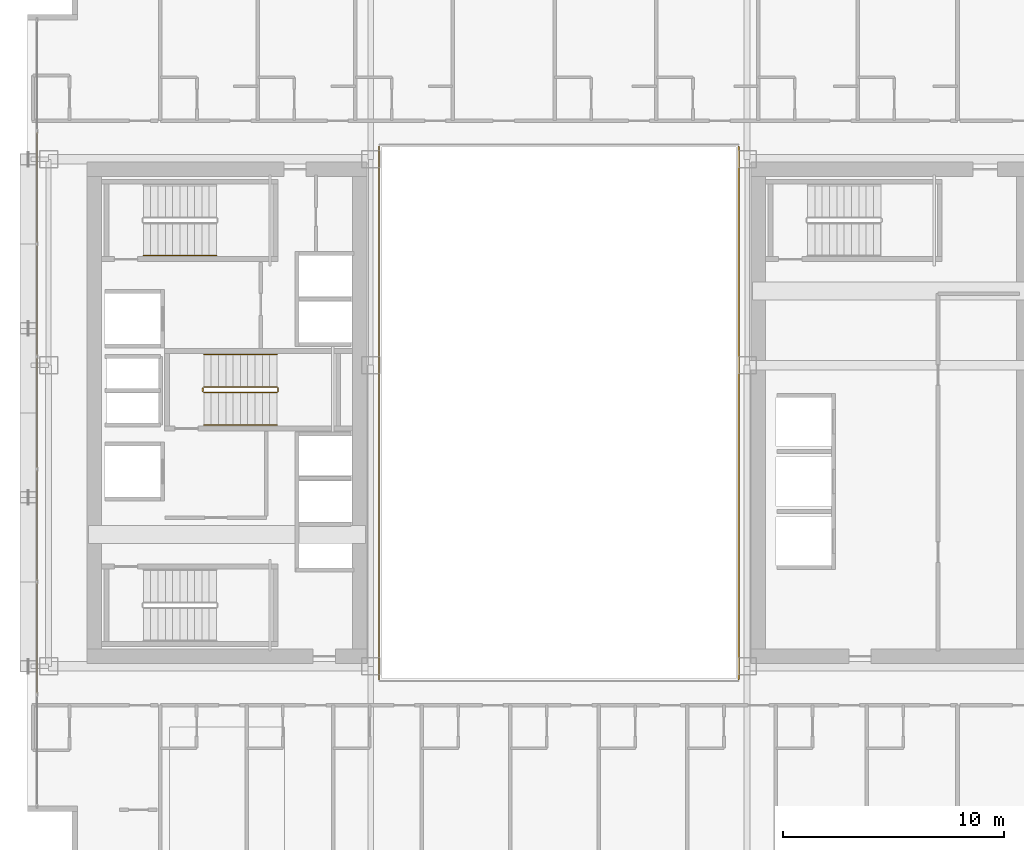
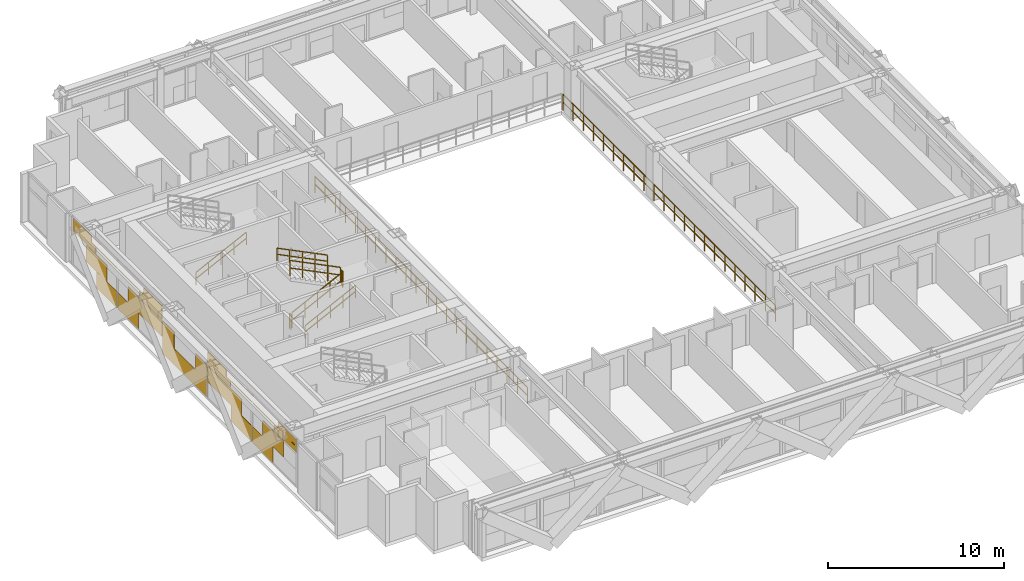
# One storey, part 34 of 36: 9 railings, 1 covering.
"""IFC4 building model written with IfcOpenShell, lengths in metres."""

import ifcopenshell
import ifcopenshell.guid

model = None  # the IFC model being written
_history = None  # IfcOwnerHistory: only IFC2X3 demands one
_inside = {}  # id of a spatial element -> (the spatial element, [elements in it])
_under = {}  # id of a project, library or spatial element -> (it, [spatial elements below it])
_declared = {}  # id of a project -> (the project, [libraries it declares])
_typed = {}  # id of a type object -> (the type object, [elements of that type])
_made_of = {}  # id of a material, layer set ... -> (it, [elements and type objects made of it])


def new_model(schema):
    """Start an empty IFC model of exactly this schema.

    Asked for "IFC4X3", IfcOpenShell would pick the latest addendum, in which some entities
    have other attributes; the version numbers below select the first issue.
    IFC2X3 requires an IfcOwnerHistory on every rooted entity: one is made here for all.
    """
    global model, _history
    if schema == "IFC4X3":
        model = ifcopenshell.file(schema_version=(4, 3, 0, 0))
    else:
        model = ifcopenshell.file(schema=schema)
    _inside.clear()
    _under.clear()
    _declared.clear()
    _typed.clear()
    _made_of.clear()
    _history = None
    if model.schema == "IFC2X3":
        org = make("IfcOrganization", Name="unknown")
        user = make(
            "IfcPersonAndOrganization",
            ThePerson=make("IfcPerson", FamilyName="unknown"),
            TheOrganization=org,
        )
        app = make(
            "IfcApplication",
            ApplicationDeveloper=org,
            Version="unknown",
            ApplicationFullName="unknown",
            ApplicationIdentifier="unknown",
        )
        _history = make(
            "IfcOwnerHistory",
            OwningUser=user,
            OwningApplication=app,
            ChangeAction="ADDED",
            CreationDate=0,
        )
    return model


def make(cls, **values):
    """One entity of the class cls with the attributes given. An attribute that is None is left unset."""
    return model.create_entity(
        cls, **{name: value for name, value in values.items() if value is not None}
    )


def rooted(cls, **values):
    """An entity with a GlobalId (a new one), such as an element, a storey or a relation."""
    return make(cls, GlobalId=ifcopenshell.guid.new(), OwnerHistory=_history, **values)


def si_unit(unit_type, name, prefix=None):
    """IfcSIUnit, for example si_unit("LENGTHUNIT", "METRE", prefix="MILLI")."""
    return make("IfcSIUnit", UnitType=unit_type, Prefix=prefix, Name=name)


def assignment(units):
    """IfcUnitAssignment: the units of a project."""
    return None if units is None else make("IfcUnitAssignment", Units=units)


def point(xyz):
    """IfcCartesianPoint."""
    return None if xyz is None else make("IfcCartesianPoint", Coordinates=xyz)


def direction(xyz):
    """IfcDirection."""
    return None if xyz is None else make("IfcDirection", DirectionRatios=xyz)


def frame(location, z_axis=None, x_axis=None):
    """IfcAxis2Placement3D, a coordinate frame: its origin and axes. An axis left out is left unset."""
    return make(
        "IfcAxis2Placement3D",
        Location=point(location),
        Axis=direction(z_axis),
        RefDirection=direction(x_axis),
    )


def frame_2d(location, x_axis=None):
    """IfcAxis2Placement2D, a coordinate frame in the plane: its origin and x axis."""
    return make(
        "IfcAxis2Placement2D", Location=point(location), RefDirection=direction(x_axis)
    )


def origin():
    """The frame at (0, 0, 0) with its axes left unset."""
    return frame((0.0, 0.0, 0.0))


def origin_2d():
    """The frame at (0, 0) in the plane with its x axis left unset."""
    return frame_2d((0.0, 0.0))


def place(relative_to, where):
    """IfcLocalPlacement: puts the frame where relative to a parent placement (None: the world)."""
    return make(
        "IfcLocalPlacement", PlacementRelTo=relative_to, RelativePlacement=where
    )


def context(
    kind, dimensions, precision=None, world=None, true_north=None, identifier=None
):
    """IfcGeometricRepresentationContext, for example the 3D "Model" context."""
    return make(
        "IfcGeometricRepresentationContext",
        ContextIdentifier=identifier,
        ContextType=kind,
        CoordinateSpaceDimension=dimensions,
        Precision=precision,
        WorldCoordinateSystem=world,
        TrueNorth=true_north,
    )


def subcontext(parent, identifier, kind, view, scale=None):
    """IfcGeometricRepresentationSubContext, for example "Body" below "Model"."""
    return make(
        "IfcGeometricRepresentationSubContext",
        ContextIdentifier=identifier,
        ContextType=kind,
        ParentContext=parent,
        TargetScale=scale,
        TargetView=view,
    )


def project(units=None, contexts=None):
    """IfcProject with its units and contexts."""
    return rooted(
        "IfcProject",
        Name="project",
        RepresentationContexts=contexts,
        UnitsInContext=assignment(units),
    )


def spatial(cls, under=None, at=None, **own):
    """A site, building, storey or space (cls), placed at a placement, below another one or the project."""
    s = rooted(cls, ObjectPlacement=at, **own)
    if under is not None:
        _under.setdefault(under.id(), (under, []))[1].append(s)
    return s


def profile(cls, at=None, kind="AREA", **sizes):
    """A parametric profile (cls). Its sizes go by their IFC names, for example OverallWidth=200.0."""
    return make(cls, ProfileType=kind, Position=at, **sizes)


def rectangle(**sizes):
    """IfcRectangleProfileDef."""
    return profile("IfcRectangleProfileDef", **sizes)


def extrude(swept, where, along, depth):
    """IfcExtrudedAreaSolid: the profile swept, set in the frame where, extruded along a direction by depth."""
    return make(
        "IfcExtrudedAreaSolid",
        SweptArea=swept,
        Position=where,
        ExtrudedDirection=direction(along),
        Depth=depth,
    )


def shape(context_of_items, identifier, shape_type, items):
    """IfcShapeRepresentation: the items that make up one representation, for example the "Body"."""
    return make(
        "IfcShapeRepresentation",
        ContextOfItems=context_of_items,
        RepresentationIdentifier=identifier,
        RepresentationType=shape_type,
        Items=items,
    )


def material(Name=None, Category=None):
    """IfcMaterial."""
    return make("IfcMaterial", Name=Name, Category=Category)


def layer(
    of_material, thickness, ventilated=None, Name=None, Category=None, Priority=None
):
    """IfcMaterialLayer: one layer of a wall or slab, of a material (None: an air gap)."""
    return make(
        "IfcMaterialLayer",
        Material=of_material,
        LayerThickness=thickness,
        IsVentilated=ventilated,
        Name=Name,
        Category=Category,
        Priority=Priority,
    )


def layer_set(layers, Name=None):
    """IfcMaterialLayerSet."""
    return make("IfcMaterialLayerSet", MaterialLayers=layers, LayerSetName=Name)


def made_of(thing, what):
    """Note that an element or type object is made of a material, layer set ...; save() writes the relation."""
    if what is not None:
        _made_of.setdefault(what.id(), (what, []))[1].append(thing)
    return thing


def type_object(cls, material=None, **own):
    """A type object (cls), such as IfcWallType, which elements share."""
    return made_of(rooted(cls, **own), material)


def element(
    cls,
    number,
    at=None,
    inside=None,
    cuts=None,
    type_object=None,
    material=None,
    context=None,
    identifier="Body",
    shape_type=None,
    held_by="IfcProductDefinitionShape",
    body=None,
    shapes=None,
    **own,
):
    """One element of the class cls, such as IfcWall. Its Tag is "e" and its number.

    at: its placement. inside: the storey or other place that contains it. cuts: it is an
    opening in that element (IfcRelVoidsElement). A single representation is given by context,
    identifier, shape_type and body (its items); several are given by shapes. held_by: the class
    of the entity that holds the representations. save() writes the other relations.
    """
    e = rooted(cls, Tag="e%d" % number, ObjectPlacement=at, **own)
    if body is not None:
        shapes = [shape(context, identifier, shape_type, body)]
    if shapes is not None:
        e.Representation = make(held_by, Representations=shapes)
    if inside is not None:
        _inside.setdefault(inside.id(), (inside, []))[1].append(e)
    if cuts is not None:
        rooted(
            "IfcRelVoidsElement", RelatingBuildingElement=cuts, RelatedOpeningElement=e
        )
    if type_object is not None:
        _typed.setdefault(type_object.id(), (type_object, []))[1].append(e)
    return made_of(e, material)


def aggregate(whole, parts):
    """IfcRelAggregates: a whole, such as a stair, and the parts it consists of."""
    return rooted("IfcRelAggregates", RelatingObject=whole, RelatedObjects=parts)


def save(model, path):
    """Write the relations noted so far, then the file.

    IfcRelAggregates (storeys below a building ...), IfcRelContainedInSpatialStructure (elements
    in a storey), IfcRelDefinesByType, IfcRelAssociatesMaterial and IfcRelDeclares: one each for
    every whole, place, type object, material and project.
    """
    for whole, parts in _under.values():
        aggregate(whole, parts)
    for where, things in _inside.values():
        rooted(
            "IfcRelContainedInSpatialStructure",
            RelatedElements=things,
            RelatingStructure=where,
        )
    for kind, things in _typed.values():
        rooted("IfcRelDefinesByType", RelatedObjects=things, RelatingType=kind)
    for what, things in _made_of.values():
        rooted("IfcRelAssociatesMaterial", RelatedObjects=things, RelatingMaterial=what)
    for by, libraries in _declared.values():
        rooted("IfcRelDeclares", RelatingContext=by, RelatedDefinitions=libraries)
    model.write(path)


model = new_model("IFC4")

# Units and contexts
model_context = context("Model", 3, precision=1e-05, world=origin(), true_north=direction((0.0, 1.0)))
body_context = subcontext(model_context, "Body", "Model", "MODEL_VIEW")
ifc_project = project(units=[si_unit("LENGTHUNIT", "METRE"), si_unit("AREAUNIT", "SQUARE_METRE"), si_unit("VOLUMEUNIT", "CUBIC_METRE"), si_unit("PLANEANGLEUNIT", "RADIAN"), si_unit("MASSUNIT", "GRAM", prefix="KILO")], contexts=[model_context])

# Site, building, storey
site_placement = place(None, origin())
site = spatial("IfcSite", under=ifc_project, at=site_placement, CompositionType="ELEMENT")
building_placement = place(site_placement, origin())
building = spatial("IfcBuilding", under=site, at=building_placement, Name="Ocotamira Hotel", CompositionType="ELEMENT")
storey_placement = place(building_placement, frame((0.0, 0.0, 129.60009765625)))
storey = spatial("IfcBuildingStorey", under=building, at=storey_placement, Name="L32", CompositionType="ELEMENT", Elevation=129.60009765625)

# Covering
ifc_material_1 = material(Name="Insulated pale-metal aluminium spandrel panel", Category="aluminium")
ifc_layer = layer(ifc_material_1, 0.044921875)
ifc_layer_set = layer_set([ifc_layer], Name="Insulated pale-metal aluminium spandrel panel")
covering_type = type_object("IfcCoveringType", Name="COV-INFILL-45", PredefinedType="CLADDING", material=ifc_layer_set)
covering_placement = place(storey_placement, origin())
element("IfcCovering", 1, at=covering_placement, inside=storey, type_object=covering_type, Name="L32 Curtain Wall Infill CW-3 CW-L32-W", PredefinedType="CLADDING", context=body_context, shape_type="SweptSolid", body=[
    extrude(rectangle(XDim=2.35107421875, YDim=0.044921875, at=origin_2d()), frame((8.419921875, 15.988525390625, 1.19384765625), z_axis=(0.0, 0.0, 1.0), x_axis=(0.0, 1.0, 0.0)), (0.0, 0.0, 1.0), 1.117919921875),
    extrude(rectangle(XDim=2.331787109375, YDim=0.044921875, at=origin_2d()), frame((8.419921875, 17.1650390625, 0.075439453125), z_axis=(0.0, 0.0, 1.0), x_axis=(0.0, 1.0, 0.0)), (0.0, 0.0, 1.0), 1.11767578125),
    extrude(rectangle(XDim=2.572265625, YDim=0.044921875, at=origin_2d()), frame((8.419921875, 14.6123046875, 2.3876953125), z_axis=(0.0, 0.0, 1.0), x_axis=(0.0, 1.0, 0.0)), (0.0, 0.0, 1.0), 0.413330078125),
    extrude(rectangle(XDim=5.004638671875, YDim=0.044921875, at=origin_2d()), frame((8.419921875, 15.82861328125, 2.80224609375), z_axis=(0.0, 0.0, 1.0), x_axis=(0.0, 1.0, 0.0)), (0.0, 0.0, 1.0), 0.033203125),
    extrude(rectangle(XDim=2.096435546875, YDim=0.044921875, at=origin_2d()), frame((8.419921875, 14.37451171875, 2.836669921875), z_axis=(0.0, 0.0, 1.0), x_axis=(0.0, 1.0, 0.0)), (0.0, 0.0, 1.0), 0.44775390625),
    extrude(rectangle(XDim=2.322265625, YDim=0.044921875, at=origin_2d()), frame((8.419921875, 19.572998046875, 0.075439453125), z_axis=(0.0, 0.0, 1.0), x_axis=(0.0, 1.0, 0.0)), (0.0, 0.0, 1.0), 1.11767578125),
    extrude(rectangle(XDim=3.847412109375, YDim=0.044921875, at=origin_2d()), frame((8.419921875, 21.492919921875, 1.19384765625), z_axis=(0.0, 0.0, 1.0), x_axis=(0.0, 1.0, 0.0)), (0.0, 0.0, 1.0), 1.117919921875),
    extrude(rectangle(XDim=5.004638671875, YDim=0.044921875, at=origin_2d()), frame((8.419921875, 20.914306640625, 2.80224609375), z_axis=(0.0, 0.0, 1.0), x_axis=(0.0, 1.0, 0.0)), (0.0, 0.0, 1.0), 0.033203125),
    extrude(rectangle(XDim=2.581787109375, YDim=0.044921875, at=origin_2d()), frame((8.419921875, 22.125732421875, 2.3876953125), z_axis=(0.0, 0.0, 1.0), x_axis=(0.0, 1.0, 0.0)), (0.0, 0.0, 1.0), 0.413330078125),
    extrude(rectangle(XDim=2.106201171875, YDim=0.044921875, at=origin_2d()), frame((8.419921875, 22.363525390625, 2.836669921875), z_axis=(0.0, 0.0, 1.0), x_axis=(0.0, 1.0, 0.0)), (0.0, 0.0, 1.0), 0.44775390625),
    extrude(rectangle(XDim=5.004638671875, YDim=0.044921875, at=origin_2d()), frame((8.419921875, 26.0, 0.075439453125), z_axis=(0.0, 0.0, 1.0), x_axis=(0.0, 1.0, 0.0)), (0.0, 0.0, 1.0), 1.11767578125),
    extrude(rectangle(XDim=1.2998046875, YDim=0.044921875, at=origin_2d()), frame((8.419921875, 24.1474609375, 1.19384765625), z_axis=(0.0, 0.0, 1.0), x_axis=(0.0, 1.0, 0.0)), (0.0, 0.0, 1.0), 1.117919921875),
    extrude(rectangle(XDim=1.2998046875, YDim=0.044921875, at=origin_2d()), frame((8.419921875, 27.8525390625, 1.19384765625), z_axis=(0.0, 0.0, 1.0), x_axis=(0.0, 1.0, 0.0)), (0.0, 0.0, 1.0), 1.117919921875),
    extrude(rectangle(XDim=3.847412109375, YDim=0.044921875, at=origin_2d()), frame((8.419921875, 30.507080078125, 1.19384765625), z_axis=(0.0, 0.0, 1.0), x_axis=(0.0, 1.0, 0.0)), (0.0, 0.0, 1.0), 1.117919921875),
    extrude(rectangle(XDim=2.322265625, YDim=0.044921875, at=origin_2d()), frame((8.419921875, 32.427001953125, 0.075439453125), z_axis=(0.0, 0.0, 1.0), x_axis=(0.0, 1.0, 0.0)), (0.0, 0.0, 1.0), 1.11767578125),
    extrude(rectangle(XDim=2.581787109375, YDim=0.044921875, at=origin_2d()), frame((8.419921875, 29.874267578125, 2.3876953125), z_axis=(0.0, 0.0, 1.0), x_axis=(0.0, 1.0, 0.0)), (0.0, 0.0, 1.0), 0.413330078125),
    extrude(rectangle(XDim=5.004638671875, YDim=0.044921875, at=origin_2d()), frame((8.419921875, 31.085693359375, 2.80224609375), z_axis=(0.0, 0.0, 1.0), x_axis=(0.0, 1.0, 0.0)), (0.0, 0.0, 1.0), 0.033203125),
    extrude(rectangle(XDim=2.106201171875, YDim=0.044921875, at=origin_2d()), frame((8.419921875, 29.636474609375, 2.836669921875), z_axis=(0.0, 0.0, 1.0), x_axis=(0.0, 1.0, 0.0)), (0.0, 0.0, 1.0), 0.44775390625),
    extrude(rectangle(XDim=2.331787109375, YDim=0.044921875, at=origin_2d()), frame((8.419921875, 34.8349609375, 0.075439453125), z_axis=(0.0, 0.0, 1.0), x_axis=(0.0, 1.0, 0.0)), (0.0, 0.0, 1.0), 1.11767578125),
    extrude(rectangle(XDim=2.35107421875, YDim=0.044921875, at=origin_2d()), frame((8.419921875, 36.011474609375, 1.19384765625), z_axis=(0.0, 0.0, 1.0), x_axis=(0.0, 1.0, 0.0)), (0.0, 0.0, 1.0), 1.117919921875),
    extrude(rectangle(XDim=5.004638671875, YDim=0.044921875, at=origin_2d()), frame((8.419921875, 36.17138671875, 2.80224609375), z_axis=(0.0, 0.0, 1.0), x_axis=(0.0, 1.0, 0.0)), (0.0, 0.0, 1.0), 0.033203125),
    extrude(rectangle(XDim=2.572265625, YDim=0.044921875, at=origin_2d()), frame((8.419921875, 37.3876953125, 2.3876953125), z_axis=(0.0, 0.0, 1.0), x_axis=(0.0, 1.0, 0.0)), (0.0, 0.0, 1.0), 0.413330078125),
    extrude(rectangle(XDim=2.096435546875, YDim=0.044921875, at=origin_2d()), frame((8.419921875, 37.62548828125, 2.836669921875), z_axis=(0.0, 0.0, 1.0), x_axis=(0.0, 1.0, 0.0)), (0.0, 0.0, 1.0), 0.44775390625),
])

# Railings
ifc_material_2 = material(Name="Painted steel stair guardrail", Category="steel")
railing_type_1 = type_object("IfcRailingType", Name="RL-EDGE-1150", PredefinedType="GUARDRAIL", material=ifc_material_2)
railing_1_placement = place(storey_placement, frame((40.1201171875, 13.9599609375, 0.0)))
element("IfcRailing", 2, at=railing_1_placement, inside=storey, type_object=railing_type_1, Name="L32 Central Atrium Edge Guardrail E", PredefinedType="GUARDRAIL", context=body_context, shape_type="SweptSolid", body=[
    extrude(rectangle(XDim=0.048095703125, YDim=0.048095703125, at=origin_2d()), frame((0.0, 0.0, 1.1259765625), z_axis=(0.0, 1.0, 0.0), x_axis=(-1.0, 0.0, 0.0)), (0.0, 0.0, 1.0), 24.080078125),
    extrude(rectangle(XDim=0.048095703125, YDim=0.048095703125, at=origin_2d()), frame((0.0, 0.0, 0.574951171875), z_axis=(0.0, 1.0, 0.0), x_axis=(-1.0, 0.0, 0.0)), (0.0, 0.0, 1.0), 24.080078125),
    extrude(rectangle(XDim=0.0419921875, YDim=0.0419921875, at=origin_2d()), origin(), (0.0, 0.0, 1.0), 1.101806640625),
    extrude(rectangle(XDim=0.0419921875, YDim=0.0419921875, at=origin_2d()), frame((0.0, 1.146728515625, 0.0)), (0.0, 0.0, 1.0), 1.101806640625),
    extrude(rectangle(XDim=0.0419921875, YDim=0.0419921875, at=origin_2d()), frame((0.0, 2.29345703125, 0.0)), (0.0, 0.0, 1.0), 1.101806640625),
    extrude(rectangle(XDim=0.0419921875, YDim=0.0419921875, at=origin_2d()), frame((0.0, 3.43994140625, 0.0)), (0.0, 0.0, 1.0), 1.101806640625),
    extrude(rectangle(XDim=0.0419921875, YDim=0.0419921875, at=origin_2d()), frame((0.0, 4.586669921875, 0.0)), (0.0, 0.0, 1.0), 1.101806640625),
    extrude(rectangle(XDim=0.0419921875, YDim=0.0419921875, at=origin_2d()), frame((0.0, 5.7333984375, 0.0)), (0.0, 0.0, 1.0), 1.101806640625),
    extrude(rectangle(XDim=0.0419921875, YDim=0.0419921875, at=origin_2d()), frame((0.0, 6.880126953125, 0.0)), (0.0, 0.0, 1.0), 1.101806640625),
    extrude(rectangle(XDim=0.0419921875, YDim=0.0419921875, at=origin_2d()), frame((0.0, 8.026611328125, 0.0)), (0.0, 0.0, 1.0), 1.101806640625),
    extrude(rectangle(XDim=0.0419921875, YDim=0.0419921875, at=origin_2d()), frame((0.0, 9.17333984375, 0.0)), (0.0, 0.0, 1.0), 1.101806640625),
    extrude(rectangle(XDim=0.0419921875, YDim=0.0419921875, at=origin_2d()), frame((0.0, 10.320068359375, 0.0)), (0.0, 0.0, 1.0), 1.101806640625),
    extrude(rectangle(XDim=0.0419921875, YDim=0.0419921875, at=origin_2d()), frame((0.0, 11.466796875, 0.0)), (0.0, 0.0, 1.0), 1.101806640625),
    extrude(rectangle(XDim=0.0419921875, YDim=0.0419921875, at=origin_2d()), frame((0.0, 12.61328125, 0.0)), (0.0, 0.0, 1.0), 1.101806640625),
    extrude(rectangle(XDim=0.0419921875, YDim=0.0419921875, at=origin_2d()), frame((0.0, 13.760009765625, 0.0)), (0.0, 0.0, 1.0), 1.101806640625),
    extrude(rectangle(XDim=0.0419921875, YDim=0.0419921875, at=origin_2d()), frame((0.0, 14.90673828125, 0.0)), (0.0, 0.0, 1.0), 1.101806640625),
    extrude(rectangle(XDim=0.0419921875, YDim=0.0419921875, at=origin_2d()), frame((0.0, 16.053466796875, 0.0)), (0.0, 0.0, 1.0), 1.101806640625),
    extrude(rectangle(XDim=0.0419921875, YDim=0.0419921875, at=origin_2d()), frame((0.0, 17.199951171875, 0.0)), (0.0, 0.0, 1.0), 1.101806640625),
    extrude(rectangle(XDim=0.0419921875, YDim=0.0419921875, at=origin_2d()), frame((0.0, 18.3466796875, 0.0)), (0.0, 0.0, 1.0), 1.101806640625),
    extrude(rectangle(XDim=0.0419921875, YDim=0.0419921875, at=origin_2d()), frame((0.0, 19.493408203125, 0.0)), (0.0, 0.0, 1.0), 1.101806640625),
    extrude(rectangle(XDim=0.0419921875, YDim=0.0419921875, at=origin_2d()), frame((0.0, 20.64013671875, 0.0)), (0.0, 0.0, 1.0), 1.101806640625),
    extrude(rectangle(XDim=0.0419921875, YDim=0.0419921875, at=origin_2d()), frame((0.0, 21.78662109375, 0.0)), (0.0, 0.0, 1.0), 1.101806640625),
    extrude(rectangle(XDim=0.0419921875, YDim=0.0419921875, at=origin_2d()), frame((0.0, 22.933349609375, 0.0)), (0.0, 0.0, 1.0), 1.101806640625),
    extrude(rectangle(XDim=0.0419921875, YDim=0.0419921875, at=origin_2d()), frame((0.0, 24.080078125, 0.0)), (0.0, 0.0, 1.0), 1.101806640625),
])
railing_2_placement = place(storey_placement, frame((23.8798828125, 38.0400390625, 0.0)))
element("IfcRailing", 3, at=railing_2_placement, inside=storey, type_object=railing_type_1, Name="L32 Central Atrium Edge Guardrail W", PredefinedType="GUARDRAIL", context=body_context, shape_type="SweptSolid", body=[
    extrude(rectangle(XDim=0.048095703125, YDim=0.048095703125, at=origin_2d()), frame((0.0, 0.0, 1.1259765625), z_axis=(0.0, -1.0, 0.0), x_axis=(1.0, 0.0, 0.0)), (0.0, 0.0, 1.0), 24.080078125),
    extrude(rectangle(XDim=0.048095703125, YDim=0.048095703125, at=origin_2d()), frame((0.0, 0.0, 0.574951171875), z_axis=(0.0, -1.0, 0.0), x_axis=(1.0, 0.0, 0.0)), (0.0, 0.0, 1.0), 24.080078125),
    extrude(rectangle(XDim=0.0419921875, YDim=0.0419921875, at=origin_2d()), origin(), (0.0, 0.0, 1.0), 1.101806640625),
    extrude(rectangle(XDim=0.0419921875, YDim=0.0419921875, at=origin_2d()), frame((0.0, -1.146728515625, 0.0)), (0.0, 0.0, 1.0), 1.101806640625),
    extrude(rectangle(XDim=0.0419921875, YDim=0.0419921875, at=origin_2d()), frame((0.0, -2.29345703125, 0.0)), (0.0, 0.0, 1.0), 1.101806640625),
    extrude(rectangle(XDim=0.0419921875, YDim=0.0419921875, at=origin_2d()), frame((0.0, -3.43994140625, 0.0)), (0.0, 0.0, 1.0), 1.101806640625),
    extrude(rectangle(XDim=0.0419921875, YDim=0.0419921875, at=origin_2d()), frame((0.0, -4.586669921875, 0.0)), (0.0, 0.0, 1.0), 1.101806640625),
    extrude(rectangle(XDim=0.0419921875, YDim=0.0419921875, at=origin_2d()), frame((0.0, -5.7333984375, 0.0)), (0.0, 0.0, 1.0), 1.101806640625),
    extrude(rectangle(XDim=0.0419921875, YDim=0.0419921875, at=origin_2d()), frame((0.0, -6.880126953125, 0.0)), (0.0, 0.0, 1.0), 1.101806640625),
    extrude(rectangle(XDim=0.0419921875, YDim=0.0419921875, at=origin_2d()), frame((0.0, -8.026611328125, 0.0)), (0.0, 0.0, 1.0), 1.101806640625),
    extrude(rectangle(XDim=0.0419921875, YDim=0.0419921875, at=origin_2d()), frame((0.0, -9.17333984375, 0.0)), (0.0, 0.0, 1.0), 1.101806640625),
    extrude(rectangle(XDim=0.0419921875, YDim=0.0419921875, at=origin_2d()), frame((0.0, -10.320068359375, 0.0)), (0.0, 0.0, 1.0), 1.101806640625),
    extrude(rectangle(XDim=0.0419921875, YDim=0.0419921875, at=origin_2d()), frame((0.0, -11.466796875, 0.0)), (0.0, 0.0, 1.0), 1.101806640625),
    extrude(rectangle(XDim=0.0419921875, YDim=0.0419921875, at=origin_2d()), frame((0.0, -12.61328125, 0.0)), (0.0, 0.0, 1.0), 1.101806640625),
    extrude(rectangle(XDim=0.0419921875, YDim=0.0419921875, at=origin_2d()), frame((0.0, -13.760009765625, 0.0)), (0.0, 0.0, 1.0), 1.101806640625),
    extrude(rectangle(XDim=0.0419921875, YDim=0.0419921875, at=origin_2d()), frame((0.0, -14.90673828125, 0.0)), (0.0, 0.0, 1.0), 1.101806640625),
    extrude(rectangle(XDim=0.0419921875, YDim=0.0419921875, at=origin_2d()), frame((0.0, -16.053466796875, 0.0)), (0.0, 0.0, 1.0), 1.101806640625),
    extrude(rectangle(XDim=0.0419921875, YDim=0.0419921875, at=origin_2d()), frame((0.0, -17.199951171875, 0.0)), (0.0, 0.0, 1.0), 1.101806640625),
    extrude(rectangle(XDim=0.0419921875, YDim=0.0419921875, at=origin_2d()), frame((0.0, -18.3466796875, 0.0)), (0.0, 0.0, 1.0), 1.101806640625),
    extrude(rectangle(XDim=0.0419921875, YDim=0.0419921875, at=origin_2d()), frame((0.0, -19.493408203125, 0.0)), (0.0, 0.0, 1.0), 1.101806640625),
    extrude(rectangle(XDim=0.0419921875, YDim=0.0419921875, at=origin_2d()), frame((0.0, -20.64013671875, 0.0)), (0.0, 0.0, 1.0), 1.101806640625),
    extrude(rectangle(XDim=0.0419921875, YDim=0.0419921875, at=origin_2d()), frame((0.0, -21.78662109375, 0.0)), (0.0, 0.0, 1.0), 1.101806640625),
    extrude(rectangle(XDim=0.0419921875, YDim=0.0419921875, at=origin_2d()), frame((0.0, -22.933349609375, 0.0)), (0.0, 0.0, 1.0), 1.101806640625),
    extrude(rectangle(XDim=0.0419921875, YDim=0.0419921875, at=origin_2d()), frame((0.0, -24.080078125, 0.0)), (0.0, 0.0, 1.0), 1.101806640625),
])
ifc_material_3 = material(Name="Brushed stainless steel handrail", Category="steel")
railing_type_2 = type_object("IfcRailingType", Name="RL-HAND-900", PredefinedType="HANDRAIL", material=ifc_material_3)
for number, where, name in (
    (4, (13.22998046875, 33.10009765625, 0.3271484375), "L32 ST-2 stair handrail 1"),
    (5, (15.9599609375, 25.449951171875, 0.3271484375), "L32 ST-3 stair handrail 1"),
):
    element("IfcRailing", number, at=place(storey_placement, frame(where)), inside=storey, type_object=railing_type_2, Name=name, PredefinedType="HANDRAIL", context=body_context, shape_type="SweptSolid", body=[
        extrude(rectangle(XDim=0.048095703125, YDim=0.048095703125, at=origin_2d()), frame((0.0, 0.0, 0.8759765625), z_axis=(0.895893744519, 0.0, 0.4442683857), x_axis=(0.0, 1.0, 0.0)), (0.0, 0.0, 1.0), 3.68359375),
        extrude(rectangle(XDim=0.048095703125, YDim=0.048095703125, at=origin_2d()), frame((0.0, 0.0, 0.449951171875), z_axis=(0.895893744519, 0.0, 0.4442683857), x_axis=(0.0, 1.0, 0.0)), (0.0, 0.0, 1.0), 3.68359375),
        extrude(rectangle(XDim=0.0419921875, YDim=0.0419921875, at=origin_2d()), origin(), (0.0, 0.0, 1.0), 0.851806640625),
        extrude(rectangle(XDim=0.0419921875, YDim=0.0419921875, at=origin_2d()), frame((0.824951171875, 0.0, 0.4091796875)), (0.0, 0.0, 1.0), 0.851806640625),
        extrude(rectangle(XDim=0.0419921875, YDim=0.0419921875, at=origin_2d()), frame((1.64990234375, 0.0, 0.818359375)), (0.0, 0.0, 1.0), 0.851806640625),
        extrude(rectangle(XDim=0.0419921875, YDim=0.0419921875, at=origin_2d()), frame((2.47509765625, 0.0, 1.227294921875)), (0.0, 0.0, 1.0), 0.851806640625),
        extrude(rectangle(XDim=0.0419921875, YDim=0.0419921875, at=origin_2d()), frame((3.300048828125, 0.0, 1.636474609375)), (0.0, 0.0, 1.0), 0.851806640625),
    ])
railing_3_placement = place(storey_placement, frame((19.260009765625, 28.6298828125, 2.127197265625)))
element("IfcRailing", 6, at=railing_3_placement, inside=storey, type_object=railing_type_2, Name="L32 ST-3 stair handrail 2", PredefinedType="HANDRAIL", context=body_context, shape_type="SweptSolid", body=[
    extrude(rectangle(XDim=0.048095703125, YDim=0.048095703125, at=origin_2d()), frame((0.0, 0.0, 0.8759765625), z_axis=(-0.895920123917, 0.0, 0.444215186098), x_axis=(0.0, -1.0, 0.0)), (0.0, 0.0, 1.0), 3.683349609375),
    extrude(rectangle(XDim=0.048095703125, YDim=0.048095703125, at=origin_2d()), frame((0.0, 0.0, 0.449951171875), z_axis=(-0.895920123917, 0.0, 0.444215186098), x_axis=(0.0, -1.0, 0.0)), (0.0, 0.0, 1.0), 3.683349609375),
    extrude(rectangle(XDim=0.0419921875, YDim=0.0419921875, at=origin_2d()), origin(), (0.0, 0.0, 1.0), 0.851806640625),
    extrude(rectangle(XDim=0.0419921875, YDim=0.0419921875, at=origin_2d()), frame((-0.824951171875, 0.0, 0.4091796875)), (0.0, 0.0, 1.0), 0.851806640625),
    extrude(rectangle(XDim=0.0419921875, YDim=0.0419921875, at=origin_2d()), frame((-1.64990234375, 0.0, 0.818115234375)), (0.0, 0.0, 1.0), 0.851806640625),
    extrude(rectangle(XDim=0.0419921875, YDim=0.0419921875, at=origin_2d()), frame((-2.47509765625, 0.0, 1.22705078125)), (0.0, 0.0, 1.0), 0.851806640625),
    extrude(rectangle(XDim=0.0419921875, YDim=0.0419921875, at=origin_2d()), frame((-3.300048828125, 0.0, 1.63623046875)), (0.0, 0.0, 1.0), 0.851806640625),
])
railing_type_3 = type_object("IfcRailingType", Name="RL-STAIR-1100", PredefinedType="GUARDRAIL", material=ifc_material_2)
railing_4_placement = place(storey_placement, frame((15.9599609375, 26.909912109375, 0.16357421875)))
element("IfcRailing", 7, at=railing_4_placement, inside=storey, type_object=railing_type_3, Name="L32 ST-3 stair guard 1", PredefinedType="GUARDRAIL", context=body_context, shape_type="SweptSolid", body=[
    extrude(rectangle(XDim=0.048095703125, YDim=0.048095703125, at=origin_2d()), frame((0.0, 0.0, 1.076171875), z_axis=(0.895920123917, 0.0, 0.444215186098), x_axis=(0.0, 1.0, 0.0)), (0.0, 0.0, 1.0), 3.683349609375),
    extrude(rectangle(XDim=0.048095703125, YDim=0.048095703125, at=origin_2d()), frame((0.0, 0.0, 0.550048828125), z_axis=(0.895920123917, 0.0, 0.444215186098), x_axis=(0.0, 1.0, 0.0)), (0.0, 0.0, 1.0), 3.683349609375),
    extrude(rectangle(XDim=0.0419921875, YDim=0.0419921875, at=origin_2d()), origin(), (0.0, 0.0, 1.0), 1.052001953125),
    extrude(rectangle(XDim=0.0419921875, YDim=0.0419921875, at=origin_2d()), frame((0.824951171875, 0.0, 0.4091796875)), (0.0, 0.0, 1.0), 1.052001953125),
    extrude(rectangle(XDim=0.0419921875, YDim=0.0419921875, at=origin_2d()), frame((1.64990234375, 0.0, 0.818115234375)), (0.0, 0.0, 1.0), 1.052001953125),
    extrude(rectangle(XDim=0.0419921875, YDim=0.0419921875, at=origin_2d()), frame((2.47509765625, 0.0, 1.22705078125)), (0.0, 0.0, 1.0), 1.052001953125),
    extrude(rectangle(XDim=0.0419921875, YDim=0.0419921875, at=origin_2d()), frame((3.300048828125, 0.0, 1.63623046875)), (0.0, 0.0, 1.0), 1.052001953125),
])
railing_5_placement = place(storey_placement, frame((19.31005859375, 26.9599609375, 1.7998046875)))
element("IfcRailing", 8, at=railing_5_placement, inside=storey, type_object=railing_type_3, Name="L32 ST-3 stair guard 2", PredefinedType="GUARDRAIL", context=body_context, shape_type="SweptSolid", body=[
    extrude(rectangle(XDim=0.048095703125, YDim=0.048095703125, at=origin_2d()), frame((0.0, 0.0, 1.076171875), z_axis=(0.0, 1.0, 0.0), x_axis=(-1.0, 0.0, 0.0)), (0.0, 0.0, 1.0), 0.16015625),
    extrude(rectangle(XDim=0.048095703125, YDim=0.048095703125, at=origin_2d()), frame((0.0, 0.0, 0.550048828125), z_axis=(0.0, 1.0, 0.0), x_axis=(-1.0, 0.0, 0.0)), (0.0, 0.0, 1.0), 0.16015625),
    extrude(rectangle(XDim=0.0419921875, YDim=0.0419921875, at=origin_2d()), origin(), (0.0, 0.0, 1.0), 1.052001953125),
    extrude(rectangle(XDim=0.0419921875, YDim=0.0419921875, at=origin_2d()), frame((0.0, 0.16015625, 0.0)), (0.0, 0.0, 1.0), 1.052001953125),
])
railing_6_placement = place(storey_placement, frame((19.260009765625, 27.169921875, 1.963623046875)))
element("IfcRailing", 9, at=railing_6_placement, inside=storey, type_object=railing_type_3, Name="L32 ST-3 stair guard 3", PredefinedType="GUARDRAIL", context=body_context, shape_type="SweptSolid", body=[
    extrude(rectangle(XDim=0.048095703125, YDim=0.048095703125, at=origin_2d()), frame((0.0, 0.0, 1.076171875), z_axis=(-0.895920123917, 0.0, 0.444215186098), x_axis=(0.0, -1.0, 0.0)), (0.0, 0.0, 1.0), 3.683349609375),
    extrude(rectangle(XDim=0.048095703125, YDim=0.048095703125, at=origin_2d()), frame((0.0, 0.0, 0.550048828125), z_axis=(-0.895920123917, 0.0, 0.444215186098), x_axis=(0.0, -1.0, 0.0)), (0.0, 0.0, 1.0), 3.683349609375),
    extrude(rectangle(XDim=0.0419921875, YDim=0.0419921875, at=origin_2d()), origin(), (0.0, 0.0, 1.0), 1.052001953125),
    extrude(rectangle(XDim=0.0419921875, YDim=0.0419921875, at=origin_2d()), frame((-0.824951171875, 0.0, 0.4091796875)), (0.0, 0.0, 1.0), 1.052001953125),
    extrude(rectangle(XDim=0.0419921875, YDim=0.0419921875, at=origin_2d()), frame((-1.64990234375, 0.0, 0.818115234375)), (0.0, 0.0, 1.0), 1.052001953125),
    extrude(rectangle(XDim=0.0419921875, YDim=0.0419921875, at=origin_2d()), frame((-2.47509765625, 0.0, 1.22705078125)), (0.0, 0.0, 1.0), 1.052001953125),
    extrude(rectangle(XDim=0.0419921875, YDim=0.0419921875, at=origin_2d()), frame((-3.300048828125, 0.0, 1.63623046875)), (0.0, 0.0, 1.0), 1.052001953125),
])
railing_7_placement = place(storey_placement, frame((15.909912109375, 26.9599609375, 0.0)))
element("IfcRailing", 10, at=railing_7_placement, inside=storey, type_object=railing_type_3, Name="L32 ST-3 stair guard 4", PredefinedType="GUARDRAIL", context=body_context, shape_type="SweptSolid", body=[
    extrude(rectangle(XDim=0.048095703125, YDim=0.048095703125, at=origin_2d()), frame((0.0, 0.0, 1.076171875), z_axis=(0.0, 1.0, 0.0), x_axis=(-1.0, 0.0, 0.0)), (0.0, 0.0, 1.0), 0.16015625),
    extrude(rectangle(XDim=0.048095703125, YDim=0.048095703125, at=origin_2d()), frame((0.0, 0.0, 0.550048828125), z_axis=(0.0, 1.0, 0.0), x_axis=(-1.0, 0.0, 0.0)), (0.0, 0.0, 1.0), 0.16015625),
    extrude(rectangle(XDim=0.0419921875, YDim=0.0419921875, at=origin_2d()), origin(), (0.0, 0.0, 1.0), 1.052001953125),
    extrude(rectangle(XDim=0.0419921875, YDim=0.0419921875, at=origin_2d()), frame((0.0, 0.16015625, 0.0)), (0.0, 0.0, 1.0), 1.052001953125),
])

save(model, "model.ifc")
